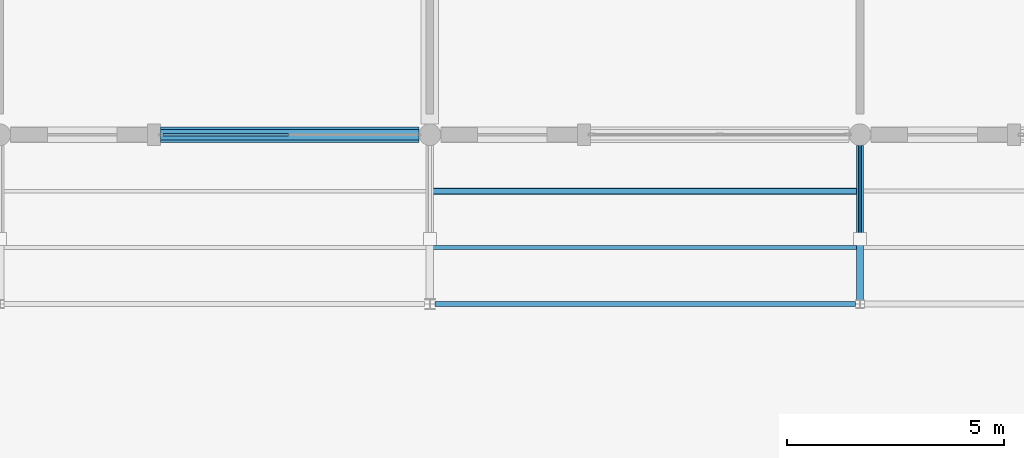
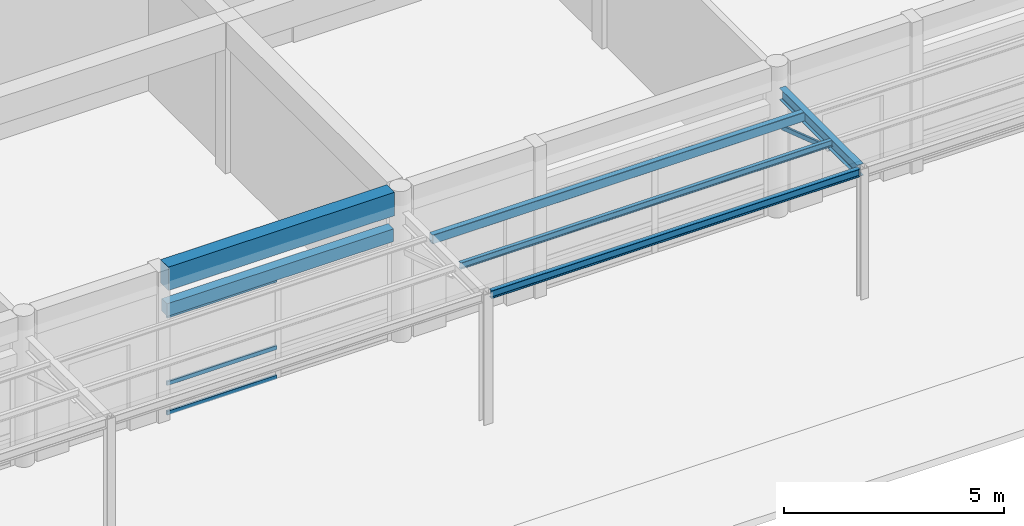
# One storey, part 19 of 75: 6 members, 4 beams, 1 element without a shape of its own.
"""IFC4 building model written with IfcOpenShell, lengths in metres."""

import ifcopenshell
import ifcopenshell.guid

model = None  # the IFC model being written
_history = None  # IfcOwnerHistory: only IFC2X3 demands one
_inside = {}  # id of a spatial element -> (the spatial element, [elements in it])
_under = {}  # id of a project, library or spatial element -> (it, [spatial elements below it])
_declared = {}  # id of a project -> (the project, [libraries it declares])
_typed = {}  # id of a type object -> (the type object, [elements of that type])
_made_of = {}  # id of a material, layer set ... -> (it, [elements and type objects made of it])


def new_model(schema):
    """Start an empty IFC model of exactly this schema.

    Asked for "IFC4X3", IfcOpenShell would pick the latest addendum, in which some entities
    have other attributes; the version numbers below select the first issue.
    IFC2X3 requires an IfcOwnerHistory on every rooted entity: one is made here for all.
    """
    global model, _history
    if schema == "IFC4X3":
        model = ifcopenshell.file(schema_version=(4, 3, 0, 0))
    else:
        model = ifcopenshell.file(schema=schema)
    _inside.clear()
    _under.clear()
    _declared.clear()
    _typed.clear()
    _made_of.clear()
    _history = None
    if model.schema == "IFC2X3":
        org = make("IfcOrganization", Name="unknown")
        user = make(
            "IfcPersonAndOrganization",
            ThePerson=make("IfcPerson", FamilyName="unknown"),
            TheOrganization=org,
        )
        app = make(
            "IfcApplication",
            ApplicationDeveloper=org,
            Version="unknown",
            ApplicationFullName="unknown",
            ApplicationIdentifier="unknown",
        )
        _history = make(
            "IfcOwnerHistory",
            OwningUser=user,
            OwningApplication=app,
            ChangeAction="ADDED",
            CreationDate=0,
        )
    return model


def make(cls, **values):
    """One entity of the class cls with the attributes given. An attribute that is None is left unset."""
    return model.create_entity(
        cls, **{name: value for name, value in values.items() if value is not None}
    )


def rooted(cls, **values):
    """An entity with a GlobalId (a new one), such as an element, a storey or a relation."""
    return make(cls, GlobalId=ifcopenshell.guid.new(), OwnerHistory=_history, **values)


def si_unit(unit_type, name, prefix=None):
    """IfcSIUnit, for example si_unit("LENGTHUNIT", "METRE", prefix="MILLI")."""
    return make("IfcSIUnit", UnitType=unit_type, Prefix=prefix, Name=name)


def assignment(units):
    """IfcUnitAssignment: the units of a project."""
    return None if units is None else make("IfcUnitAssignment", Units=units)


def point(xyz):
    """IfcCartesianPoint."""
    return None if xyz is None else make("IfcCartesianPoint", Coordinates=xyz)


def direction(xyz):
    """IfcDirection."""
    return None if xyz is None else make("IfcDirection", DirectionRatios=xyz)


def frame(location, z_axis=None, x_axis=None):
    """IfcAxis2Placement3D, a coordinate frame: its origin and axes. An axis left out is left unset."""
    return make(
        "IfcAxis2Placement3D",
        Location=point(location),
        Axis=direction(z_axis),
        RefDirection=direction(x_axis),
    )


def frame_2d(location, x_axis=None):
    """IfcAxis2Placement2D, a coordinate frame in the plane: its origin and x axis."""
    return make(
        "IfcAxis2Placement2D", Location=point(location), RefDirection=direction(x_axis)
    )


def origin():
    """The frame at (0, 0, 0) with its axes left unset."""
    return frame((0.0, 0.0, 0.0))


def origin_2d():
    """The frame at (0, 0) in the plane with its x axis left unset."""
    return frame_2d((0.0, 0.0))


def place(relative_to, where):
    """IfcLocalPlacement: puts the frame where relative to a parent placement (None: the world)."""
    return make(
        "IfcLocalPlacement", PlacementRelTo=relative_to, RelativePlacement=where
    )


def context(
    kind, dimensions, precision=None, world=None, true_north=None, identifier=None
):
    """IfcGeometricRepresentationContext, for example the 3D "Model" context."""
    return make(
        "IfcGeometricRepresentationContext",
        ContextIdentifier=identifier,
        ContextType=kind,
        CoordinateSpaceDimension=dimensions,
        Precision=precision,
        WorldCoordinateSystem=world,
        TrueNorth=true_north,
    )


def subcontext(parent, identifier, kind, view, scale=None):
    """IfcGeometricRepresentationSubContext, for example "Body" below "Model"."""
    return make(
        "IfcGeometricRepresentationSubContext",
        ContextIdentifier=identifier,
        ContextType=kind,
        ParentContext=parent,
        TargetScale=scale,
        TargetView=view,
    )


def project(units=None, contexts=None):
    """IfcProject with its units and contexts."""
    return rooted(
        "IfcProject",
        Name="project",
        RepresentationContexts=contexts,
        UnitsInContext=assignment(units),
    )


def spatial(cls, under=None, at=None, **own):
    """A site, building, storey or space (cls), placed at a placement, below another one or the project."""
    s = rooted(cls, ObjectPlacement=at, **own)
    if under is not None:
        _under.setdefault(under.id(), (under, []))[1].append(s)
    return s


def profile(cls, at=None, kind="AREA", **sizes):
    """A parametric profile (cls). Its sizes go by their IFC names, for example OverallWidth=200.0."""
    return make(cls, ProfileType=kind, Position=at, **sizes)


def rectangle(**sizes):
    """IfcRectangleProfileDef."""
    return profile("IfcRectangleProfileDef", **sizes)


def hollow_rectangle(**sizes):
    """IfcRectangleHollowProfileDef."""
    return profile("IfcRectangleHollowProfileDef", **sizes)


def i_section(**sizes):
    """IfcIShapeProfileDef."""
    return profile("IfcIShapeProfileDef", **sizes)


def extrude(swept, where, along, depth):
    """IfcExtrudedAreaSolid: the profile swept, set in the frame where, extruded along a direction by depth."""
    return make(
        "IfcExtrudedAreaSolid",
        SweptArea=swept,
        Position=where,
        ExtrudedDirection=direction(along),
        Depth=depth,
    )


def shape(context_of_items, identifier, shape_type, items):
    """IfcShapeRepresentation: the items that make up one representation, for example the "Body"."""
    return make(
        "IfcShapeRepresentation",
        ContextOfItems=context_of_items,
        RepresentationIdentifier=identifier,
        RepresentationType=shape_type,
        Items=items,
    )


def material(Name=None, Category=None):
    """IfcMaterial."""
    return make("IfcMaterial", Name=Name, Category=Category)


def material_profile(
    of_material, cross_section, Name=None, Category=None, Priority=None
):
    """IfcMaterialProfile: a cross section and its material."""
    return make(
        "IfcMaterialProfile",
        Name=Name,
        Material=of_material,
        Profile=cross_section,
        Priority=Priority,
        Category=Category,
    )


def profile_set(profiles, Name=None, composite=None):
    """IfcMaterialProfileSet."""
    return make(
        "IfcMaterialProfileSet",
        Name=Name,
        MaterialProfiles=profiles,
        CompositeProfile=composite,
    )


def made_of(thing, what):
    """Note that an element or type object is made of a material, layer set ...; save() writes the relation."""
    if what is not None:
        _made_of.setdefault(what.id(), (what, []))[1].append(thing)
    return thing


def type_object(cls, material=None, **own):
    """A type object (cls), such as IfcWallType, which elements share."""
    return made_of(rooted(cls, **own), material)


def element(
    cls,
    number,
    at=None,
    inside=None,
    cuts=None,
    type_object=None,
    material=None,
    context=None,
    identifier="Body",
    shape_type=None,
    held_by="IfcProductDefinitionShape",
    body=None,
    shapes=None,
    **own,
):
    """One element of the class cls, such as IfcWall. Its Tag is "e" and its number.

    at: its placement. inside: the storey or other place that contains it. cuts: it is an
    opening in that element (IfcRelVoidsElement). A single representation is given by context,
    identifier, shape_type and body (its items); several are given by shapes. held_by: the class
    of the entity that holds the representations. save() writes the other relations.
    """
    e = rooted(cls, Tag="e%d" % number, ObjectPlacement=at, **own)
    if body is not None:
        shapes = [shape(context, identifier, shape_type, body)]
    if shapes is not None:
        e.Representation = make(held_by, Representations=shapes)
    if inside is not None:
        _inside.setdefault(inside.id(), (inside, []))[1].append(e)
    if cuts is not None:
        rooted(
            "IfcRelVoidsElement", RelatingBuildingElement=cuts, RelatedOpeningElement=e
        )
    if type_object is not None:
        _typed.setdefault(type_object.id(), (type_object, []))[1].append(e)
    return made_of(e, material)


def aggregate(whole, parts):
    """IfcRelAggregates: a whole, such as a stair, and the parts it consists of."""
    return rooted("IfcRelAggregates", RelatingObject=whole, RelatedObjects=parts)


def save(model, path):
    """Write the relations noted so far, then the file.

    IfcRelAggregates (storeys below a building ...), IfcRelContainedInSpatialStructure (elements
    in a storey), IfcRelDefinesByType, IfcRelAssociatesMaterial and IfcRelDeclares: one each for
    every whole, place, type object, material and project.
    """
    for whole, parts in _under.values():
        aggregate(whole, parts)
    for where, things in _inside.values():
        rooted(
            "IfcRelContainedInSpatialStructure",
            RelatedElements=things,
            RelatingStructure=where,
        )
    for kind, things in _typed.values():
        rooted("IfcRelDefinesByType", RelatedObjects=things, RelatingType=kind)
    for what, things in _made_of.values():
        rooted("IfcRelAssociatesMaterial", RelatedObjects=things, RelatingMaterial=what)
    for by, libraries in _declared.values():
        rooted("IfcRelDeclares", RelatingContext=by, RelatedDefinitions=libraries)
    model.write(path)


model = new_model("IFC4")

# Units and contexts
model_context = context("Model", 3, precision=1e-05, world=origin(), true_north=direction((0.0, 1.0)))
body_context = subcontext(model_context, "Body", "Model", "MODEL_VIEW")
ifc_project = project(units=[si_unit("LENGTHUNIT", "METRE"), si_unit("AREAUNIT", "SQUARE_METRE"), si_unit("VOLUMEUNIT", "CUBIC_METRE"), si_unit("PLANEANGLEUNIT", "RADIAN"), si_unit("MASSUNIT", "GRAM", prefix="KILO")], contexts=[model_context])

# Site, building, storey
site_placement = place(None, origin())
site = spatial("IfcSite", under=ifc_project, at=site_placement, CompositionType="ELEMENT")
building_placement = place(site_placement, origin())
building = spatial("IfcBuilding", under=site, at=building_placement, Name="Kernevlak Ridge Housing Community", CompositionType="ELEMENT")
storey_placement = place(building_placement, origin())
storey = spatial("IfcBuildingStorey", under=building, at=storey_placement, Name="L00", CompositionType="ELEMENT", Elevation=0.0)

# Beams
ifc_material_1 = material(Name="Concrete C35/45", Category="concrete")
ifc_material_profile_1 = material_profile(ifc_material_1, rectangle(XDim=0.35009765625, YDim=0.64990234375, at=origin_2d()), Name="RC 350x650")
ifc_profile_set_1 = profile_set([ifc_material_profile_1], Name="Concrete C35/45")
beam_type_1 = type_object("IfcBeamType", Name="B-02", PredefinedType="BEAM", material=ifc_profile_set_1)
beam_1_placement = place(storey_placement, frame((77.800048828125, 7.800048828125, 3.875), z_axis=(1.0, 0.0, 0.0), x_axis=(0.0, 1.0, 0.0)))
element("IfcBeam", 1, at=beam_1_placement, inside=storey, type_object=beam_type_1, Name="Beam B-02 L00 2046", PredefinedType="BEAM", context=body_context, shape_type="SweptSolid", body=[
    extrude(rectangle(XDim=0.35009765625, YDim=0.64990234375, at=origin_2d()), origin(), (0.0, 0.0, 1.0), 5.949951171875),
])
ifc_material_profile_2 = material_profile(ifc_material_1, rectangle(XDim=0.25, YDim=0.35009765625, at=origin_2d()), Name="RC 250x350")
ifc_profile_set_2 = profile_set([ifc_material_profile_2], Name="Concrete C35/45")
beam_type_2 = type_object("IfcBeamType", Name="LN-01", PredefinedType="LINTEL", material=ifc_profile_set_2)
beam_2_placement = place(storey_placement, frame((77.800048828125, 7.800048828125, 2.97509765625), z_axis=(1.0, 0.0, 0.0), x_axis=(0.0, 1.0, 0.0)))
element("IfcBeam", 2, at=beam_2_placement, inside=storey, type_object=beam_type_2, Name="Beam LN-01 L00 2461", PredefinedType="LINTEL", context=body_context, shape_type="SweptSolid", body=[
    extrude(rectangle(XDim=0.25, YDim=0.35009765625, at=origin_2d()), origin(), (0.0, 0.0, 1.0), 5.949951171875),
])

# Members
ifc_material_2 = material(Name="Steel S355", Category="steel")
ifc_material_profile_3 = material_profile(ifc_material_2, i_section(OverallWidth=0.091064453125, OverallDepth=0.179931640625, WebThickness=0.00537109375, FlangeThickness=0.008056640625, FilletRadius=0.009033203125, at=origin_2d()), Name="IPE 180")
ifc_profile_set_3 = profile_set([ifc_material_profile_3], Name="Steel S355")
member_type_1 = type_object("IfcMemberType", Name="PU-02", PredefinedType="PURLIN", material=ifc_profile_set_3)
member_1_placement = place(storey_placement, frame((84.06005859375, 5.199951171875, 3.530029296875), z_axis=(1.0, 0.0, 0.0), x_axis=(0.0, 1.0, 0.0)))
element("IfcMember", 3, at=member_1_placement, inside=storey, type_object=member_type_1, Name="Canopy steel purlin PU-02 3.1", PredefinedType="PURLIN", context=body_context, shape_type="SweptSolid", body=[
    extrude(i_section(OverallWidth=0.091064453125, OverallDepth=0.179931640625, WebThickness=0.00537109375, FlangeThickness=0.008056640625, FilletRadius=0.009033203125, at=origin_2d()), origin(), (0.0, 0.0, 1.0), 9.780029296875),
])
ifc_material_profile_4 = material_profile(ifc_material_2, hollow_rectangle(XDim=0.14990234375, YDim=0.25, WallThickness=0.010009765625, InnerFilletRadius=0.010009765625, OuterFilletRadius=0.014892578125, at=origin_2d()), Name="RHS 250x150x10")
ifc_profile_set_4 = profile_set([ifc_material_profile_4], Name="Steel S355")
member_type_2 = type_object("IfcMemberType", Name="PU-06", PredefinedType="PURLIN", material=ifc_profile_set_4)
member_2_placement = place(storey_placement, frame((84.06005859375, 6.5, 3.4951171875), z_axis=(1.0, 0.0, 0.0), x_axis=(0.0, 1.0, 0.0)))
element("IfcMember", 4, at=member_2_placement, inside=storey, type_object=member_type_2, Name="Canopy steel purlin PU-06 3.2", PredefinedType="PURLIN", context=body_context, shape_type="SweptSolid", body=[
    extrude(hollow_rectangle(XDim=0.14990234375, YDim=0.25, WallThickness=0.010009765625, InnerFilletRadius=0.010009765625, OuterFilletRadius=0.014892578125, at=origin_2d()), origin(), (0.0, 0.0, 1.0), 9.780029296875),
])

# Beams
ifc_material_profile_5 = material_profile(ifc_material_2, i_section(OverallWidth=0.159912109375, OverallDepth=0.330078125, WebThickness=0.007568359375, FlangeThickness=0.011474609375, FilletRadius=0.01806640625, at=origin_2d()), Name="IPE 330")
ifc_profile_set_5 = profile_set([ifc_material_profile_5], Name="Steel S355")
beam_type_3 = type_object("IfcBeamType", Name="SB-04", PredefinedType="BEAM", material=ifc_profile_set_5)
beam_3_placement = place(storey_placement, frame((93.89990234375, 4.0, 3.455078125), z_axis=(0.0, 1.0, 0.0), x_axis=(-1.0, 0.0, 0.0)))
element("IfcBeam", 5, at=beam_3_placement, inside=storey, type_object=beam_type_3, Name="Canopy transverse steel beam SB-04 4", PredefinedType="BEAM", context=body_context, shape_type="SweptSolid", body=[
    extrude(i_section(OverallWidth=0.159912109375, OverallDepth=0.330078125, WebThickness=0.007568359375, FlangeThickness=0.011474609375, FilletRadius=0.01806640625, at=origin_2d()), origin(), (0.0, 0.0, 1.0), 3.550048828125),
])
ifc_material_profile_6 = material_profile(ifc_material_2, i_section(OverallWidth=0.110107421875, OverallDepth=0.219970703125, WebThickness=0.005859375, FlangeThickness=0.00927734375, FilletRadius=0.011962890625, at=origin_2d()), Name="IPE 220")
ifc_profile_set_6 = profile_set([ifc_material_profile_6], Name="Steel S355")
beam_type_4 = type_object("IfcBeamType", Name="SB-08", PredefinedType="BEAM", material=ifc_profile_set_6)
beam_4_placement = place(storey_placement, frame((84.1201171875, 3.89990234375, 3.510009765625), z_axis=(1.0, 0.0, 0.0), x_axis=(0.0, 1.0, 0.0)))
element("IfcBeam", 6, at=beam_4_placement, inside=storey, type_object=beam_type_4, Name="Beam SB-08 L00 2474", PredefinedType="BEAM", context=body_context, shape_type="SweptSolid", body=[
    extrude(i_section(OverallWidth=0.110107421875, OverallDepth=0.219970703125, WebThickness=0.005859375, FlangeThickness=0.00927734375, FilletRadius=0.011962890625, at=origin_2d()), origin(), (0.0, 0.0, 1.0), 9.679931640625),
])

# Member
ifc_material_profile_7 = material_profile(ifc_material_2, hollow_rectangle(XDim=0.06005859375, YDim=0.1201171875, WallThickness=0.0048828125, InnerFilletRadius=0.0048828125, OuterFilletRadius=0.007568359375, at=origin_2d()), Name="RHS 120x60x5")
ifc_profile_set_7 = profile_set([ifc_material_profile_7], Name="Steel S355")
member_type_3 = type_object("IfcMemberType", Name="ST-04", PredefinedType="STRUT", material=ifc_profile_set_7)
member_3_placement = place(storey_placement, frame((93.89990234375, 7.550048828125, 2.5), z_axis=(0.0, -0.948510837756, 0.316744677398), x_axis=(1.0, 0.0, 0.0)))
element("IfcMember", 7, at=member_3_placement, inside=storey, type_object=member_type_3, Name="Canopy diagonal tie strut ST-04 4", PredefinedType="STRUT", context=body_context, shape_type="SweptSolid", body=[
    extrude(hollow_rectangle(XDim=0.06005859375, YDim=0.1201171875, WallThickness=0.0048828125, InnerFilletRadius=0.0048828125, OuterFilletRadius=0.007568359375, at=origin_2d()), origin(), (0.0, 0.0, 1.0), 2.266845703125),
])

# Curtain wall, members
ifc_material_3 = material(Name="Aluminium EN AW-6060 anodised and laminated glass", Category="aluminium")
curtain_wall_type = type_object("IfcCurtainWallType", Name="CW-03", PredefinedType="NOTDEFINED", material=ifc_material_3)
curtain_wall_placement = place(storey_placement, origin())
curtain_wall = element("IfcCurtainWall", 8, at=curtain_wall_placement, inside=storey, type_object=curtain_wall_type, Name="Curtain wall CW-03 CW-L00-171", PredefinedType="NOTDEFINED")
ifc_material_4 = material(Name="Aluminium EN AW-6060 anodised", Category="aluminium")
ifc_material_profile_8 = material_profile(ifc_material_4, hollow_rectangle(XDim=0.054931640625, YDim=0.110107421875, WallThickness=0.00390625, InnerFilletRadius=0.001953125, OuterFilletRadius=0.00390625, at=origin_2d()), Name="ALU 55x110x4")
ifc_profile_set_8 = profile_set([ifc_material_profile_8], Name="Aluminium EN AW-6060 anodised")
member_type_4 = type_object("IfcMemberType", Name="TM-01", PredefinedType="USERDEFINED", material=ifc_profile_set_8)
member_4_placement = place(storey_placement, frame((77.85498046875, 7.800048828125, 0.027587890625), z_axis=(1.0, 0.0, 0.0), x_axis=(0.0, 1.0, 0.0)))
member_4 = element("IfcMember", 9, at=member_4_placement, type_object=member_type_4, Name="CW-03 transom 1.1", ObjectType="TRANSOM", PredefinedType="USERDEFINED", context=body_context, shape_type="SweptSolid", body=[
    extrude(hollow_rectangle(XDim=0.054931640625, YDim=0.110107421875, WallThickness=0.00390625, InnerFilletRadius=0.001953125, OuterFilletRadius=0.00390625, at=origin_2d()), origin(), (0.0, 0.0, 1.0), 2.892578125),
])
member_5_placement = place(storey_placement, frame((77.85498046875, 7.800048828125, 0.85009765625), z_axis=(1.0, 0.0, 0.0), x_axis=(0.0, 1.0, 0.0)))
member_5 = element("IfcMember", 10, at=member_5_placement, type_object=member_type_4, Name="CW-03 transom 1.2", ObjectType="TRANSOM", PredefinedType="USERDEFINED", context=body_context, shape_type="SweptSolid", body=[
    extrude(hollow_rectangle(XDim=0.054931640625, YDim=0.110107421875, WallThickness=0.00390625, InnerFilletRadius=0.001953125, OuterFilletRadius=0.00390625, at=origin_2d()), origin(), (0.0, 0.0, 1.0), 2.892578125),
])
member_6_placement = place(storey_placement, frame((77.85498046875, 7.800048828125, 2.722412109375), z_axis=(1.0, 0.0, 0.0), x_axis=(0.0, 1.0, 0.0)))
member_6 = element("IfcMember", 11, at=member_6_placement, type_object=member_type_4, Name="CW-03 transom 1.3", ObjectType="TRANSOM", PredefinedType="USERDEFINED", context=body_context, shape_type="SweptSolid", body=[
    extrude(hollow_rectangle(XDim=0.054931640625, YDim=0.110107421875, WallThickness=0.00390625, InnerFilletRadius=0.001953125, OuterFilletRadius=0.00390625, at=origin_2d()), origin(), (0.0, 0.0, 1.0), 2.892578125),
])
aggregate(curtain_wall, [member_4, member_5, member_6])

save(model, "model.ifc")
